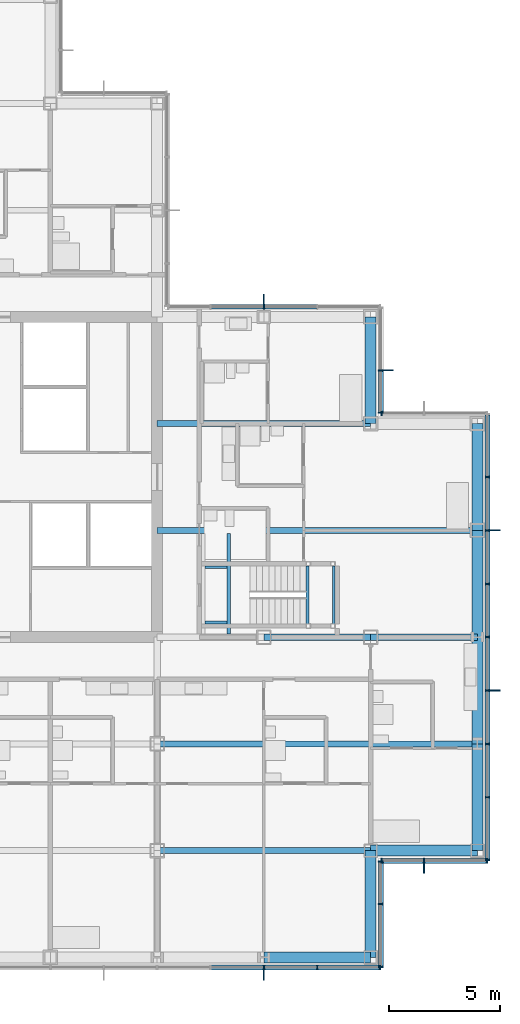
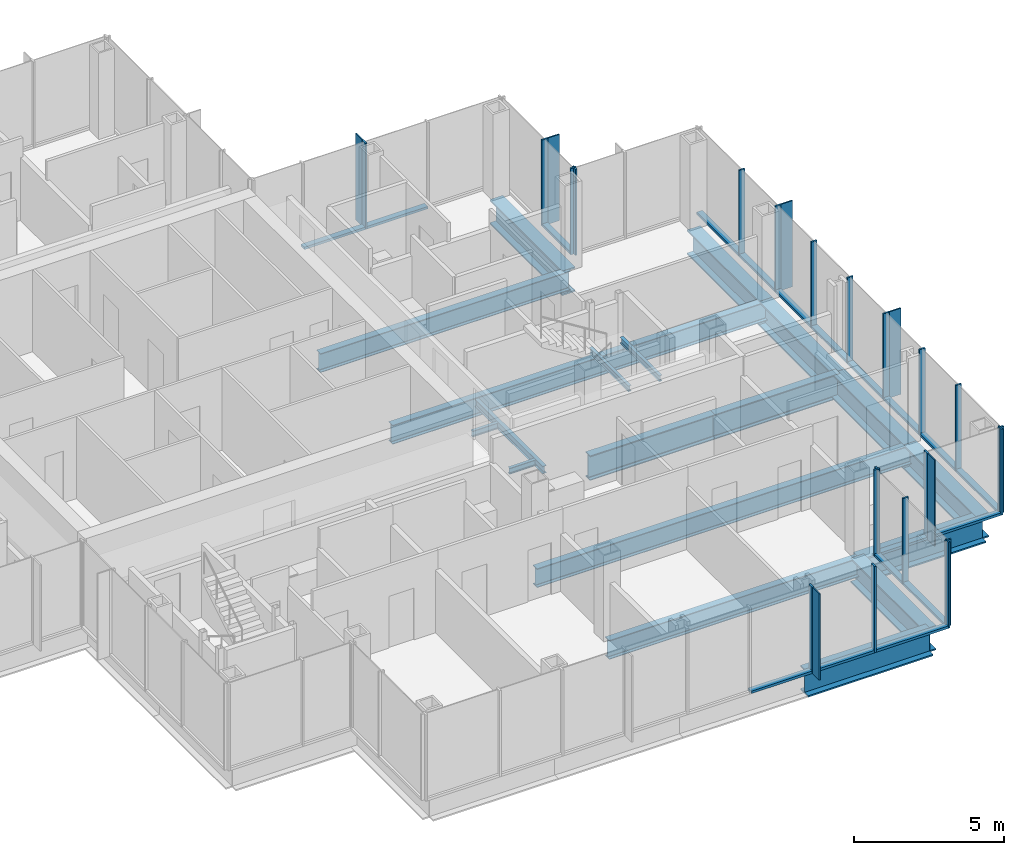
# One storey, part 8 of 20: 45 members, 19 beams, 7 elements without a shape of their own.
"""IFC4 building model written with IfcOpenShell, lengths in metres."""

from ifc_helpers import new_model, si_unit, direction, frame, origin, origin_2d, place, context, subcontext, project, spatial, rectangle, i_section, extrude, material, material_profile, profile_set, type_object, element, aggregate, save


model = new_model("IFC4")

# Units and contexts
model_context = context("Model", 3, precision=1e-05, world=origin(), true_north=direction((0.0, 1.0)))
body_context = subcontext(model_context, "Body", "Model", "MODEL_VIEW")
ifc_project = project(units=[si_unit("LENGTHUNIT", "METRE"), si_unit("AREAUNIT", "SQUARE_METRE"), si_unit("VOLUMEUNIT", "CUBIC_METRE"), si_unit("PLANEANGLEUNIT", "RADIAN"), si_unit("MASSUNIT", "GRAM", prefix="KILO")], contexts=[model_context])

# Site, building, storey
site_placement = place(None, origin())
site = spatial("IfcSite", under=ifc_project, at=site_placement, CompositionType="ELEMENT")
building_placement = place(site_placement, origin())
building = spatial("IfcBuilding", under=site, at=building_placement, Name="Kvirike Care Tower", CompositionType="ELEMENT")
storey_placement = place(building_placement, frame((0.0, 0.0, 94.5)))
storey = spatial("IfcBuildingStorey", under=building, at=storey_placement, Name="L25", CompositionType="ELEMENT", Elevation=94.5)

# Curtain wall, members
ifc_material_1 = material(Name="Anodised aluminium stick system", Category="aluminium")
curtain_wall_type = type_object("IfcCurtainWallType", Name="CW-B STICK CURTAIN WALL", PredefinedType="NOTDEFINED", material=ifc_material_1)
curtain_wall_1_placement = place(storey_placement, origin())
curtain_wall_1 = element("IfcCurtainWall", 1, at=curtain_wall_1_placement, inside=storey, type_object=curtain_wall_type, Name="Curtain wall L25 face 1", PredefinedType="NOTDEFINED")
ifc_material_2 = material(Name="Bronze anodised aluminium fin", Category="aluminium")
ifc_material_profile_1 = material_profile(ifc_material_2, rectangle(XDim=0.050048828125, YDim=0.449951171875, at=origin_2d()), Name="BRONZE FIN 450")
ifc_profile_set_1 = profile_set([ifc_material_profile_1], Name="Bronze anodised aluminium fin")
member_type_1 = type_object("IfcMemberType", Name="BRONZE FIN 450", PredefinedType="USERDEFINED", material=ifc_profile_set_1)
member_1_placement = place(storey_placement, frame((43.9951171875, 26.39990234375, 0.0), z_axis=(0.0, 0.0, 1.0), x_axis=(0.0, 1.0, 0.0)))
member_1 = element("IfcMember", 2, at=member_1_placement, type_object=member_type_1, Name="Bronze fin L25 face 1.4", ObjectType="FIN", PredefinedType="USERDEFINED", context=body_context, shape_type="SweptSolid", body=[
    extrude(rectangle(XDim=0.050048828125, YDim=0.449951171875, at=origin_2d()), origin(), (0.0, 0.0, 1.0), 3.5),
])
member_2_placement = place(storey_placement, frame((43.9951171875, 33.60009765625, 0.0), z_axis=(0.0, 0.0, 1.0), x_axis=(0.0, 1.0, 0.0)))
member_2 = element("IfcMember", 3, at=member_2_placement, type_object=member_type_1, Name="Bronze fin L25 face 1.7", ObjectType="FIN", PredefinedType="USERDEFINED", context=body_context, shape_type="SweptSolid", body=[
    extrude(rectangle(XDim=0.050048828125, YDim=0.449951171875, at=origin_2d()), origin(), (0.0, 0.0, 1.0), 3.5),
])

# Curtain wall, member
curtain_wall_2_placement = place(storey_placement, origin())
curtain_wall_2 = element("IfcCurtainWall", 4, at=curtain_wall_2_placement, inside=storey, type_object=curtain_wall_type, Name="Curtain wall L25 face 3", PredefinedType="NOTDEFINED")
member_3_placement = place(storey_placement, frame((39.195068359375, 40.800048828125, 0.0), z_axis=(0.0, 0.0, 1.0), x_axis=(0.0, 1.0, 0.0)))
member_3 = element("IfcMember", 5, at=member_3_placement, type_object=member_type_1, Name="Bronze fin L25 face 3.2", ObjectType="FIN", PredefinedType="USERDEFINED", context=body_context, shape_type="SweptSolid", body=[
    extrude(rectangle(XDim=0.050048828125, YDim=0.449951171875, at=origin_2d()), origin(), (0.0, 0.0, 1.0), 3.5),
])

curtain_wall_3_placement = place(storey_placement, origin())
curtain_wall_3 = element("IfcCurtainWall", 6, at=curtain_wall_3_placement, inside=storey, type_object=curtain_wall_type, Name="Curtain wall L25 face 4", PredefinedType="NOTDEFINED")
member_4_placement = place(storey_placement, frame((33.60009765625, 43.9951171875, 0.0), z_axis=(0.0, 0.0, 1.0), x_axis=(-1.0, 0.0, 0.0)))
member_4 = element("IfcMember", 7, at=member_4_placement, type_object=member_type_1, Name="Bronze fin L25 face 4.3", ObjectType="FIN", PredefinedType="USERDEFINED", context=body_context, shape_type="SweptSolid", body=[
    extrude(rectangle(XDim=0.050048828125, YDim=0.449951171875, at=origin_2d()), origin(), (0.0, 0.0, 1.0), 3.5),
])

curtain_wall_4_placement = place(storey_placement, origin())
curtain_wall_4 = element("IfcCurtainWall", 8, at=curtain_wall_4_placement, inside=storey, type_object=curtain_wall_type, Name="Curtain wall L25 face 18", PredefinedType="NOTDEFINED")
member_5_placement = place(storey_placement, frame((33.60009765625, 13.60498046875, 0.0), z_axis=(0.0, 0.0, 1.0), x_axis=(1.0, 0.0, 0.0)))
member_5 = element("IfcMember", 9, at=member_5_placement, type_object=member_type_1, Name="Bronze fin L25 face 18.7", ObjectType="FIN", PredefinedType="USERDEFINED", context=body_context, shape_type="SweptSolid", body=[
    extrude(rectangle(XDim=0.050048828125, YDim=0.449951171875, at=origin_2d()), origin(), (0.0, 0.0, 1.0), 3.5),
])

curtain_wall_5_placement = place(storey_placement, origin())
curtain_wall_5 = element("IfcCurtainWall", 10, at=curtain_wall_5_placement, inside=storey, type_object=curtain_wall_type, Name="Curtain wall L25 face 20", PredefinedType="NOTDEFINED")
member_6_placement = place(storey_placement, frame((40.800048828125, 18.405029296875, 0.0), z_axis=(0.0, 0.0, 1.0), x_axis=(1.0, 0.0, 0.0)))
member_6 = element("IfcMember", 11, at=member_6_placement, type_object=member_type_1, Name="Bronze fin L25 face 20.2", ObjectType="FIN", PredefinedType="USERDEFINED", context=body_context, shape_type="SweptSolid", body=[
    extrude(rectangle(XDim=0.050048828125, YDim=0.449951171875, at=origin_2d()), origin(), (0.0, 0.0, 1.0), 3.5),
])

# Member
ifc_material_3 = material(Name="Bronze anodised aluminium mullion", Category="aluminium")
ifc_material_profile_2 = material_profile(ifc_material_3, rectangle(XDim=0.06494140625, YDim=0.219970703125, at=origin_2d()), Name="CW-B MULLION 65x220")
ifc_profile_set_2 = profile_set([ifc_material_profile_2], Name="Bronze anodised aluminium mullion")
member_type_2 = type_object("IfcMemberType", Name="CW-B MULLION 65x220", PredefinedType="MULLION", material=ifc_profile_set_2)
member_7_placement = place(storey_placement, frame((43.659912109375, 18.7724609375, 0.0), z_axis=(0.0, 0.0, 1.0), x_axis=(0.0, 1.0, 0.0)))
member_7 = element("IfcMember", 12, at=member_7_placement, type_object=member_type_2, Name="CW-B mullion L25 face 1.1", PredefinedType="MULLION", context=body_context, shape_type="SweptSolid", body=[
    extrude(rectangle(XDim=0.06494140625, YDim=0.219970703125, at=origin_2d()), origin(), (0.0, 0.0, 1.0), 3.5),
])

member_8_placement = place(storey_placement, frame((43.659912109375, 21.60009765625, 0.0), z_axis=(0.0, 0.0, 1.0), x_axis=(0.0, 1.0, 0.0)))
member_8 = element("IfcMember", 13, at=member_8_placement, type_object=member_type_2, Name="CW-B mullion L25 face 1.2", PredefinedType="MULLION", context=body_context, shape_type="SweptSolid", body=[
    extrude(rectangle(XDim=0.06494140625, YDim=0.219970703125, at=origin_2d()), origin(), (0.0, 0.0, 1.0), 3.5),
])

member_9_placement = place(storey_placement, frame((43.659912109375, 24.0, 0.0), z_axis=(0.0, 0.0, 1.0), x_axis=(0.0, 1.0, 0.0)))
member_9 = element("IfcMember", 14, at=member_9_placement, type_object=member_type_2, Name="CW-B mullion L25 face 1.3", PredefinedType="MULLION", context=body_context, shape_type="SweptSolid", body=[
    extrude(rectangle(XDim=0.06494140625, YDim=0.219970703125, at=origin_2d()), origin(), (0.0, 0.0, 1.0), 3.5),
])

member_10_placement = place(storey_placement, frame((43.659912109375, 26.39990234375, 0.0), z_axis=(0.0, 0.0, 1.0), x_axis=(0.0, 1.0, 0.0)))
member_10 = element("IfcMember", 15, at=member_10_placement, type_object=member_type_2, Name="CW-B mullion L25 face 1.4", PredefinedType="MULLION", context=body_context, shape_type="SweptSolid", body=[
    extrude(rectangle(XDim=0.06494140625, YDim=0.219970703125, at=origin_2d()), origin(), (0.0, 0.0, 1.0), 3.5),
])

member_11_placement = place(storey_placement, frame((43.659912109375, 28.800048828125, 0.0), z_axis=(0.0, 0.0, 1.0), x_axis=(0.0, 1.0, 0.0)))
member_11 = element("IfcMember", 16, at=member_11_placement, type_object=member_type_2, Name="CW-B mullion L25 face 1.5", PredefinedType="MULLION", context=body_context, shape_type="SweptSolid", body=[
    extrude(rectangle(XDim=0.06494140625, YDim=0.219970703125, at=origin_2d()), origin(), (0.0, 0.0, 1.0), 3.5),
])

member_12_placement = place(storey_placement, frame((43.659912109375, 31.199951171875, 0.0), z_axis=(0.0, 0.0, 1.0), x_axis=(0.0, 1.0, 0.0)))
member_12 = element("IfcMember", 17, at=member_12_placement, type_object=member_type_2, Name="CW-B mullion L25 face 1.6", PredefinedType="MULLION", context=body_context, shape_type="SweptSolid", body=[
    extrude(rectangle(XDim=0.06494140625, YDim=0.219970703125, at=origin_2d()), origin(), (0.0, 0.0, 1.0), 3.5),
])

member_13_placement = place(storey_placement, frame((43.659912109375, 33.60009765625, 0.0), z_axis=(0.0, 0.0, 1.0), x_axis=(0.0, 1.0, 0.0)))
member_13 = element("IfcMember", 18, at=member_13_placement, type_object=member_type_2, Name="CW-B mullion L25 face 1.7", PredefinedType="MULLION", context=body_context, shape_type="SweptSolid", body=[
    extrude(rectangle(XDim=0.06494140625, YDim=0.219970703125, at=origin_2d()), origin(), (0.0, 0.0, 1.0), 3.5),
])

member_14_placement = place(storey_placement, frame((43.659912109375, 36.0, 0.0), z_axis=(0.0, 0.0, 1.0), x_axis=(0.0, 1.0, 0.0)))
member_14 = element("IfcMember", 19, at=member_14_placement, type_object=member_type_2, Name="CW-B mullion L25 face 1.8", PredefinedType="MULLION", context=body_context, shape_type="SweptSolid", body=[
    extrude(rectangle(XDim=0.06494140625, YDim=0.219970703125, at=origin_2d()), origin(), (0.0, 0.0, 1.0), 3.5),
])

# Curtain wall, member
curtain_wall_6_placement = place(storey_placement, origin())
curtain_wall_6 = element("IfcCurtainWall", 20, at=curtain_wall_6_placement, inside=storey, type_object=curtain_wall_type, Name="Curtain wall L25 face 2", PredefinedType="NOTDEFINED")
member_15_placement = place(storey_placement, frame((38.892578125, 38.860107421875, 0.0), z_axis=(0.0, 0.0, 1.0), x_axis=(-1.0, 0.0, 0.0)))
member_15 = element("IfcMember", 21, at=member_15_placement, type_object=member_type_2, Name="CW-B mullion L25 face 2.3", PredefinedType="MULLION", context=body_context, shape_type="SweptSolid", body=[
    extrude(rectangle(XDim=0.06494140625, YDim=0.219970703125, at=origin_2d()), origin(), (0.0, 0.0, 1.0), 3.5),
])
aggregate(curtain_wall_6, [member_15])

# Member
member_16_placement = place(storey_placement, frame((38.860107421875, 38.892578125, 0.0), z_axis=(0.0, 0.0, 1.0), x_axis=(0.0, 1.0, 0.0)))
member_16 = element("IfcMember", 22, at=member_16_placement, type_object=member_type_2, Name="CW-B mullion L25 face 3.1", PredefinedType="MULLION", context=body_context, shape_type="SweptSolid", body=[
    extrude(rectangle(XDim=0.06494140625, YDim=0.219970703125, at=origin_2d()), origin(), (0.0, 0.0, 1.0), 3.5),
])

member_17_placement = place(storey_placement, frame((38.860107421875, 40.800048828125, 0.0), z_axis=(0.0, 0.0, 1.0), x_axis=(0.0, 1.0, 0.0)))
member_17 = element("IfcMember", 23, at=member_17_placement, type_object=member_type_2, Name="CW-B mullion L25 face 3.2", PredefinedType="MULLION", context=body_context, shape_type="SweptSolid", body=[
    extrude(rectangle(XDim=0.06494140625, YDim=0.219970703125, at=origin_2d()), origin(), (0.0, 0.0, 1.0), 3.5),
])

member_18_placement = place(storey_placement, frame((33.60009765625, 43.659912109375, 0.0), z_axis=(0.0, 0.0, 1.0), x_axis=(-1.0, 0.0, 0.0)))
member_18 = element("IfcMember", 24, at=member_18_placement, type_object=member_type_2, Name="CW-B mullion L25 face 4.3", PredefinedType="MULLION", context=body_context, shape_type="SweptSolid", body=[
    extrude(rectangle(XDim=0.06494140625, YDim=0.219970703125, at=origin_2d()), origin(), (0.0, 0.0, 1.0), 3.5),
])

member_19_placement = place(storey_placement, frame((33.60009765625, 13.93994140625, 0.0), z_axis=(0.0, 0.0, 1.0), x_axis=(1.0, 0.0, 0.0)))
member_19 = element("IfcMember", 25, at=member_19_placement, type_object=member_type_2, Name="CW-B mullion L25 face 18.7", PredefinedType="MULLION", context=body_context, shape_type="SweptSolid", body=[
    extrude(rectangle(XDim=0.06494140625, YDim=0.219970703125, at=origin_2d()), origin(), (0.0, 0.0, 1.0), 3.5),
])

member_20_placement = place(storey_placement, frame((36.0, 13.93994140625, 0.0), z_axis=(0.0, 0.0, 1.0), x_axis=(1.0, 0.0, 0.0)))
member_20 = element("IfcMember", 26, at=member_20_placement, type_object=member_type_2, Name="CW-B mullion L25 face 18.8", PredefinedType="MULLION", context=body_context, shape_type="SweptSolid", body=[
    extrude(rectangle(XDim=0.06494140625, YDim=0.219970703125, at=origin_2d()), origin(), (0.0, 0.0, 1.0), 3.5),
])

member_21_placement = place(storey_placement, frame((38.827392578125, 13.93994140625, 0.0), z_axis=(0.0, 0.0, 1.0), x_axis=(1.0, 0.0, 0.0)))
member_21 = element("IfcMember", 27, at=member_21_placement, type_object=member_type_2, Name="CW-B mullion L25 face 18.9", PredefinedType="MULLION", context=body_context, shape_type="SweptSolid", body=[
    extrude(rectangle(XDim=0.06494140625, YDim=0.219970703125, at=origin_2d()), origin(), (0.0, 0.0, 1.0), 3.5),
])

# Curtain wall, members
curtain_wall_7_placement = place(storey_placement, origin())
curtain_wall_7 = element("IfcCurtainWall", 28, at=curtain_wall_7_placement, inside=storey, type_object=curtain_wall_type, Name="Curtain wall L25 face 19", PredefinedType="NOTDEFINED")
member_22_placement = place(storey_placement, frame((38.860107421875, 13.972412109375, 0.0), z_axis=(0.0, 0.0, 1.0), x_axis=(0.0, 1.0, 0.0)))
member_22 = element("IfcMember", 29, at=member_22_placement, type_object=member_type_2, Name="CW-B mullion L25 face 19.1", PredefinedType="MULLION", context=body_context, shape_type="SweptSolid", body=[
    extrude(rectangle(XDim=0.06494140625, YDim=0.219970703125, at=origin_2d()), origin(), (0.0, 0.0, 1.0), 3.5),
])
member_23_placement = place(storey_placement, frame((38.860107421875, 16.800048828125, 0.0), z_axis=(0.0, 0.0, 1.0), x_axis=(0.0, 1.0, 0.0)))
member_23 = element("IfcMember", 30, at=member_23_placement, type_object=member_type_2, Name="CW-B mullion L25 face 19.2", PredefinedType="MULLION", context=body_context, shape_type="SweptSolid", body=[
    extrude(rectangle(XDim=0.06494140625, YDim=0.219970703125, at=origin_2d()), origin(), (0.0, 0.0, 1.0), 3.5),
])
member_24_placement = place(storey_placement, frame((38.860107421875, 18.70751953125, 0.0), z_axis=(0.0, 0.0, 1.0), x_axis=(0.0, 1.0, 0.0)))
member_24 = element("IfcMember", 31, at=member_24_placement, type_object=member_type_2, Name="CW-B mullion L25 face 19.3", PredefinedType="MULLION", context=body_context, shape_type="SweptSolid", body=[
    extrude(rectangle(XDim=0.06494140625, YDim=0.219970703125, at=origin_2d()), origin(), (0.0, 0.0, 1.0), 3.5),
])

# Member
member_25_placement = place(storey_placement, frame((38.892578125, 18.739990234375, 0.0), z_axis=(0.0, 0.0, 1.0), x_axis=(1.0, 0.0, 0.0)))
member_25 = element("IfcMember", 32, at=member_25_placement, type_object=member_type_2, Name="CW-B mullion L25 face 20.1", PredefinedType="MULLION", context=body_context, shape_type="SweptSolid", body=[
    extrude(rectangle(XDim=0.06494140625, YDim=0.219970703125, at=origin_2d()), origin(), (0.0, 0.0, 1.0), 3.5),
])

member_26_placement = place(storey_placement, frame((40.800048828125, 18.739990234375, 0.0), z_axis=(0.0, 0.0, 1.0), x_axis=(1.0, 0.0, 0.0)))
member_26 = element("IfcMember", 33, at=member_26_placement, type_object=member_type_2, Name="CW-B mullion L25 face 20.2", PredefinedType="MULLION", context=body_context, shape_type="SweptSolid", body=[
    extrude(rectangle(XDim=0.06494140625, YDim=0.219970703125, at=origin_2d()), origin(), (0.0, 0.0, 1.0), 3.5),
])

member_27_placement = place(storey_placement, frame((43.62744140625, 18.739990234375, 0.0), z_axis=(0.0, 0.0, 1.0), x_axis=(1.0, 0.0, 0.0)))
member_27 = element("IfcMember", 34, at=member_27_placement, type_object=member_type_2, Name="CW-B mullion L25 face 20.3", PredefinedType="MULLION", context=body_context, shape_type="SweptSolid", body=[
    extrude(rectangle(XDim=0.06494140625, YDim=0.219970703125, at=origin_2d()), origin(), (0.0, 0.0, 1.0), 3.5),
])

ifc_material_4 = material(Name="Bronze anodised aluminium transom", Category="aluminium")
ifc_material_profile_3 = material_profile(ifc_material_4, rectangle(XDim=0.219970703125, YDim=0.10009765625, at=origin_2d()), Name="CW-B TRANSOM 220x100")
ifc_profile_set_3 = profile_set([ifc_material_profile_3], Name="Bronze anodised aluminium transom")
member_type_3 = type_object("IfcMemberType", Name="CW-B TRANSOM 220x100", PredefinedType="USERDEFINED", material=ifc_profile_set_3)
member_28_placement = place(storey_placement, frame((43.659912109375, 18.804931640625, 0.050048828125), z_axis=(0.0, 1.0, 0.0), x_axis=(-1.0, 0.0, 0.0)))
member_28 = element("IfcMember", 35, at=member_28_placement, type_object=member_type_3, Name="CW-B sill transom L25 face 1.1", ObjectType="TRANSOM", PredefinedType="USERDEFINED", context=body_context, shape_type="SweptSolid", body=[
    extrude(rectangle(XDim=0.219970703125, YDim=0.10009765625, at=origin_2d()), origin(), (0.0, 0.0, 1.0), 2.762451171875),
])

member_29_placement = place(storey_placement, frame((43.659912109375, 21.632568359375, 0.050048828125), z_axis=(0.0, 1.0, 0.0), x_axis=(-1.0, 0.0, 0.0)))
member_29 = element("IfcMember", 36, at=member_29_placement, type_object=member_type_3, Name="CW-B sill transom L25 face 1.2", ObjectType="TRANSOM", PredefinedType="USERDEFINED", context=body_context, shape_type="SweptSolid", body=[
    extrude(rectangle(XDim=0.219970703125, YDim=0.10009765625, at=origin_2d()), origin(), (0.0, 0.0, 1.0), 2.3349609375),
])

member_30_placement = place(storey_placement, frame((43.659912109375, 24.032470703125, 0.050048828125), z_axis=(0.0, 1.0, 0.0), x_axis=(-1.0, 0.0, 0.0)))
member_30 = element("IfcMember", 37, at=member_30_placement, type_object=member_type_3, Name="CW-B sill transom L25 face 1.3", ObjectType="TRANSOM", PredefinedType="USERDEFINED", context=body_context, shape_type="SweptSolid", body=[
    extrude(rectangle(XDim=0.219970703125, YDim=0.10009765625, at=origin_2d()), origin(), (0.0, 0.0, 1.0), 2.3349609375),
])

member_31_placement = place(storey_placement, frame((43.659912109375, 26.4326171875, 0.050048828125), z_axis=(0.0, 1.0, 0.0), x_axis=(-1.0, 0.0, 0.0)))
member_31 = element("IfcMember", 38, at=member_31_placement, type_object=member_type_3, Name="CW-B sill transom L25 face 1.4", ObjectType="TRANSOM", PredefinedType="USERDEFINED", context=body_context, shape_type="SweptSolid", body=[
    extrude(rectangle(XDim=0.219970703125, YDim=0.10009765625, at=origin_2d()), origin(), (0.0, 0.0, 1.0), 2.3349609375),
])

member_32_placement = place(storey_placement, frame((43.659912109375, 28.83251953125, 0.050048828125), z_axis=(0.0, 1.0, 0.0), x_axis=(-1.0, 0.0, 0.0)))
member_32 = element("IfcMember", 39, at=member_32_placement, type_object=member_type_3, Name="CW-B sill transom L25 face 1.5", ObjectType="TRANSOM", PredefinedType="USERDEFINED", context=body_context, shape_type="SweptSolid", body=[
    extrude(rectangle(XDim=0.219970703125, YDim=0.10009765625, at=origin_2d()), origin(), (0.0, 0.0, 1.0), 2.3349609375),
])

member_33_placement = place(storey_placement, frame((43.659912109375, 31.232421875, 0.050048828125), z_axis=(0.0, 1.0, 0.0), x_axis=(-1.0, 0.0, 0.0)))
member_33 = element("IfcMember", 40, at=member_33_placement, type_object=member_type_3, Name="CW-B sill transom L25 face 1.6", ObjectType="TRANSOM", PredefinedType="USERDEFINED", context=body_context, shape_type="SweptSolid", body=[
    extrude(rectangle(XDim=0.219970703125, YDim=0.10009765625, at=origin_2d()), origin(), (0.0, 0.0, 1.0), 2.3349609375),
])

member_34_placement = place(storey_placement, frame((43.659912109375, 33.632568359375, 0.050048828125), z_axis=(0.0, 1.0, 0.0), x_axis=(-1.0, 0.0, 0.0)))
member_34 = element("IfcMember", 41, at=member_34_placement, type_object=member_type_3, Name="CW-B sill transom L25 face 1.7", ObjectType="TRANSOM", PredefinedType="USERDEFINED", context=body_context, shape_type="SweptSolid", body=[
    extrude(rectangle(XDim=0.219970703125, YDim=0.10009765625, at=origin_2d()), origin(), (0.0, 0.0, 1.0), 2.3349609375),
])

member_35_placement = place(storey_placement, frame((43.659912109375, 36.032470703125, 0.050048828125), z_axis=(0.0, 1.0, 0.0), x_axis=(-1.0, 0.0, 0.0)))
member_35 = element("IfcMember", 42, at=member_35_placement, type_object=member_type_3, Name="CW-B sill transom L25 face 1.8", ObjectType="TRANSOM", PredefinedType="USERDEFINED", context=body_context, shape_type="SweptSolid", body=[
    extrude(rectangle(XDim=0.219970703125, YDim=0.10009765625, at=origin_2d()), origin(), (0.0, 0.0, 1.0), 2.762451171875),
])

aggregate(curtain_wall_1, [member_7, member_8, member_9, member_10, member_1, member_11, member_12, member_13, member_2, member_14, member_28, member_29, member_30, member_31, member_32, member_33, member_34, member_35])

member_36_placement = place(storey_placement, frame((38.860107421875, 38.925048828125, 0.050048828125), z_axis=(0.0, 1.0, 0.0), x_axis=(-1.0, 0.0, 0.0)))
member_36 = element("IfcMember", 43, at=member_36_placement, type_object=member_type_3, Name="CW-B sill transom L25 face 3.1", ObjectType="TRANSOM", PredefinedType="USERDEFINED", context=body_context, shape_type="SweptSolid", body=[
    extrude(rectangle(XDim=0.219970703125, YDim=0.10009765625, at=origin_2d()), origin(), (0.0, 0.0, 1.0), 1.842529296875),
])

aggregate(curtain_wall_2, [member_16, member_17, member_3, member_36])

member_37_placement = place(storey_placement, frame((35.967529296875, 43.659912109375, 0.050048828125), z_axis=(-1.0, 0.0, 0.0), x_axis=(0.0, -1.0, 0.0)))
member_37 = element("IfcMember", 44, at=member_37_placement, type_object=member_type_3, Name="CW-B sill transom L25 face 4.2", ObjectType="TRANSOM", PredefinedType="USERDEFINED", context=body_context, shape_type="SweptSolid", body=[
    extrude(rectangle(XDim=0.219970703125, YDim=0.10009765625, at=origin_2d()), origin(), (0.0, 0.0, 1.0), 2.3349609375),
])

member_38_placement = place(storey_placement, frame((33.5673828125, 43.659912109375, 0.050048828125), z_axis=(-1.0, 0.0, 0.0), x_axis=(0.0, -1.0, 0.0)))
member_38 = element("IfcMember", 45, at=member_38_placement, type_object=member_type_3, Name="CW-B sill transom L25 face 4.3", ObjectType="TRANSOM", PredefinedType="USERDEFINED", context=body_context, shape_type="SweptSolid", body=[
    extrude(rectangle(XDim=0.219970703125, YDim=0.10009765625, at=origin_2d()), origin(), (0.0, 0.0, 1.0), 2.3349609375),
])

aggregate(curtain_wall_3, [member_18, member_4, member_37, member_38])

member_39_placement = place(storey_placement, frame((31.232421875, 13.93994140625, 0.050048828125), z_axis=(1.0, 0.0, 0.0), x_axis=(0.0, 1.0, 0.0)))
member_39 = element("IfcMember", 46, at=member_39_placement, type_object=member_type_3, Name="CW-B sill transom L25 face 18.6", ObjectType="TRANSOM", PredefinedType="USERDEFINED", context=body_context, shape_type="SweptSolid", body=[
    extrude(rectangle(XDim=0.219970703125, YDim=0.10009765625, at=origin_2d()), origin(), (0.0, 0.0, 1.0), 2.3349609375),
])

member_40_placement = place(storey_placement, frame((33.632568359375, 13.93994140625, 0.050048828125), z_axis=(1.0, 0.0, 0.0), x_axis=(0.0, 1.0, 0.0)))
member_40 = element("IfcMember", 47, at=member_40_placement, type_object=member_type_3, Name="CW-B sill transom L25 face 18.7", ObjectType="TRANSOM", PredefinedType="USERDEFINED", context=body_context, shape_type="SweptSolid", body=[
    extrude(rectangle(XDim=0.219970703125, YDim=0.10009765625, at=origin_2d()), origin(), (0.0, 0.0, 1.0), 2.3349609375),
])

member_41_placement = place(storey_placement, frame((36.032470703125, 13.93994140625, 0.050048828125), z_axis=(1.0, 0.0, 0.0), x_axis=(0.0, 1.0, 0.0)))
member_41 = element("IfcMember", 48, at=member_41_placement, type_object=member_type_3, Name="CW-B sill transom L25 face 18.8", ObjectType="TRANSOM", PredefinedType="USERDEFINED", context=body_context, shape_type="SweptSolid", body=[
    extrude(rectangle(XDim=0.219970703125, YDim=0.10009765625, at=origin_2d()), origin(), (0.0, 0.0, 1.0), 2.762451171875),
])

aggregate(curtain_wall_4, [member_19, member_5, member_20, member_21, member_39, member_40, member_41])

member_42_placement = place(storey_placement, frame((38.860107421875, 14.0048828125, 0.050048828125), z_axis=(0.0, 1.0, 0.0), x_axis=(-1.0, 0.0, 0.0)))
member_42 = element("IfcMember", 49, at=member_42_placement, type_object=member_type_3, Name="CW-B sill transom L25 face 19.1", ObjectType="TRANSOM", PredefinedType="USERDEFINED", context=body_context, shape_type="SweptSolid", body=[
    extrude(rectangle(XDim=0.219970703125, YDim=0.10009765625, at=origin_2d()), origin(), (0.0, 0.0, 1.0), 2.7626953125),
])

member_43_placement = place(storey_placement, frame((38.860107421875, 16.83251953125, 0.050048828125), z_axis=(0.0, 1.0, 0.0), x_axis=(-1.0, 0.0, 0.0)))
member_43 = element("IfcMember", 50, at=member_43_placement, type_object=member_type_3, Name="CW-B sill transom L25 face 19.2", ObjectType="TRANSOM", PredefinedType="USERDEFINED", context=body_context, shape_type="SweptSolid", body=[
    extrude(rectangle(XDim=0.219970703125, YDim=0.10009765625, at=origin_2d()), origin(), (0.0, 0.0, 1.0), 1.842529296875),
])

aggregate(curtain_wall_7, [member_22, member_23, member_24, member_42, member_43])

member_44_placement = place(storey_placement, frame((38.925048828125, 18.739990234375, 0.050048828125), z_axis=(1.0, 0.0, 0.0), x_axis=(0.0, 1.0, 0.0)))
member_44 = element("IfcMember", 51, at=member_44_placement, type_object=member_type_3, Name="CW-B sill transom L25 face 20.1", ObjectType="TRANSOM", PredefinedType="USERDEFINED", context=body_context, shape_type="SweptSolid", body=[
    extrude(rectangle(XDim=0.219970703125, YDim=0.10009765625, at=origin_2d()), origin(), (0.0, 0.0, 1.0), 1.842529296875),
])

member_45_placement = place(storey_placement, frame((40.83251953125, 18.739990234375, 0.050048828125), z_axis=(1.0, 0.0, 0.0), x_axis=(0.0, 1.0, 0.0)))
member_45 = element("IfcMember", 52, at=member_45_placement, type_object=member_type_3, Name="CW-B sill transom L25 face 20.2", ObjectType="TRANSOM", PredefinedType="USERDEFINED", context=body_context, shape_type="SweptSolid", body=[
    extrude(rectangle(XDim=0.219970703125, YDim=0.10009765625, at=origin_2d()), origin(), (0.0, 0.0, 1.0), 2.762451171875),
])

aggregate(curtain_wall_5, [member_25, member_26, member_6, member_27, member_44, member_45])

# Beams
ifc_material_5 = material(Name="Steel S355", Category="steel")
ifc_material_profile_4 = material_profile(ifc_material_5, i_section(OverallWidth=0.26806640625, OverallDepth=0.77001953125, WebThickness=0.015625, FlangeThickness=0.025390625, FilletRadius=0.01708984375, at=origin_2d()), Name="IPE 750x196")
ifc_profile_set_4 = profile_set([ifc_material_profile_4], Name="Steel S355")
beam_type_1 = type_object("IfcBeamType", Name="FLOOR BEAM IPE 750x196", PredefinedType="BEAM", material=ifc_profile_set_4)
beam_1_placement = place(storey_placement, frame((28.800048828125, 19.199951171875, -0.554931640625), z_axis=(1.0, 0.0, 0.0), x_axis=(0.0, 1.0, 0.0)))
element("IfcBeam", 53, at=beam_1_placement, inside=storey, type_object=beam_type_1, Name="Floor Beam E9-E11 L25", PredefinedType="BEAM", context=body_context, shape_type="SweptSolid", body=[
    extrude(i_section(OverallWidth=0.26806640625, OverallDepth=0.77001953125, WebThickness=0.015625, FlangeThickness=0.025390625, FilletRadius=0.01708984375, at=origin_2d()), origin(), (0.0, 0.0, 1.0), 9.599853515625),
])
for number, where, z_axis, x_axis, name in (
    (54, (28.800048828125, 24.0, -0.554931640625), (1.0, 0.0, 0.0), (0.0, 1.0, 0.0), "Floor Beam F9-F12 L25"),
    (55, (28.800048828125, 33.60009765625, -0.554931640625), (1.0, 0.0, 0.0), (0.0, 1.0, 0.0), "Floor Beam H9-H12 L25"),
):
    element("IfcBeam", number, at=place(storey_placement, frame(where, z_axis=z_axis, x_axis=x_axis)), inside=storey, type_object=beam_type_1, Name=name, PredefinedType="BEAM", context=body_context, shape_type="SweptSolid", body=[
        extrude(i_section(OverallWidth=0.26806640625, OverallDepth=0.77001953125, WebThickness=0.015625, FlangeThickness=0.025390625, FilletRadius=0.01708984375, at=origin_2d()), origin(), (0.0, 0.0, 1.0), 14.39990234375),
    ])
beam_2_placement = place(storey_placement, frame((28.800048828125, 38.39990234375, -0.554931640625), z_axis=(1.0, 0.0, 0.0), x_axis=(0.0, 1.0, 0.0)))
element("IfcBeam", 56, at=beam_2_placement, inside=storey, type_object=beam_type_1, Name="Floor Beam J9-J11 L25", PredefinedType="BEAM", context=body_context, shape_type="SweptSolid", body=[
    extrude(i_section(OverallWidth=0.26806640625, OverallDepth=0.77001953125, WebThickness=0.015625, FlangeThickness=0.025390625, FilletRadius=0.01708984375, at=origin_2d()), origin(), (0.0, 0.0, 1.0), 9.599853515625),
])
ifc_material_6 = material(Name="Steel S355", Category="steel")
ifc_material_profile_5 = material_profile(ifc_material_6, i_section(OverallWidth=0.300048828125, OverallDepth=1.0, WebThickness=0.01904296875, FlangeThickness=0.035888671875, FilletRadius=0.030029296875, at=origin_2d()), Name="HE 1000 B")
ifc_profile_set_5 = profile_set([ifc_material_profile_5], Name="Steel S355")
beam_type_2 = type_object("IfcBeamType", Name="FRAME BEAM HE 1000 B", PredefinedType="BEAM", material=ifc_profile_set_5)
beam_3_placement = place(storey_placement, frame((33.60009765625, 28.800048828125, -0.669921875), z_axis=(1.0, 0.0, 0.0), x_axis=(0.0, 1.0, 0.0)))
element("IfcBeam", 57, at=beam_3_placement, inside=storey, type_object=beam_type_2, Name="Frame Beam G10-G11 L25", PredefinedType="BEAM", context=body_context, shape_type="SweptSolid", body=[
    extrude(i_section(OverallWidth=0.300048828125, OverallDepth=1.0, WebThickness=0.01904296875, FlangeThickness=0.035888671875, FilletRadius=0.030029296875, at=origin_2d()), origin(), (0.0, 0.0, 1.0), 4.7998046875),
])
beam_4_placement = place(storey_placement, frame((38.39990234375, 28.800048828125, -0.669921875), z_axis=(1.0, 0.0, 0.0), x_axis=(0.0, 1.0, 0.0)))
element("IfcBeam", 58, at=beam_4_placement, inside=storey, type_object=beam_type_2, Name="Frame Beam G11-G12 L25", PredefinedType="BEAM", context=body_context, shape_type="SweptSolid", body=[
    extrude(i_section(OverallWidth=0.300048828125, OverallDepth=1.0, WebThickness=0.01904296875, FlangeThickness=0.035888671875, FilletRadius=0.030029296875, at=origin_2d()), origin(), (0.0, 0.0, 1.0), 4.800048828125),
])
ifc_material_7 = material(Name="Steel S355", Category="steel")
ifc_material_profile_6 = material_profile(ifc_material_7, i_section(OverallWidth=0.5, OverallDepth=1.0, WebThickness=0.030029296875, FlangeThickness=0.06005859375, at=origin_2d()), Name="PG 1000x500x30x60")
ifc_profile_set_6 = profile_set([ifc_material_profile_6], Name="Steel S355")
beam_type_3 = type_object("IfcBeamType", Name="SPANDREL PG 1000x500x30x60", PredefinedType="SPANDREL", material=ifc_profile_set_6)
beam_5_placement = place(storey_placement, frame((33.60009765625, 14.39990234375, -0.669921875), z_axis=(1.0, 0.0, 0.0), x_axis=(0.0, 1.0, 0.0)))
element("IfcBeam", 59, at=beam_5_placement, inside=storey, type_object=beam_type_3, Name="Spandrel D10-D11 L25", PredefinedType="SPANDREL", context=body_context, shape_type="SweptSolid", body=[
    extrude(i_section(OverallWidth=0.5, OverallDepth=1.0, WebThickness=0.030029296875, FlangeThickness=0.06005859375, at=origin_2d()), origin(), (0.0, 0.0, 1.0), 4.7998046875),
])
for number, where, z_axis, x_axis, name in (
    (60, (38.39990234375, 19.199951171875, -0.669921875), (1.0, 0.0, 0.0), (0.0, 1.0, 0.0), "Spandrel E11-E12 L25"),
    (61, (38.39990234375, 14.39990234375, -0.669921875), (0.0, 1.0, 0.0), (-1.0, 0.0, 0.0), "Spandrel D11-E11 L25"),
    (62, (38.39990234375, 38.39990234375, -0.669921875), (0.0, 1.0, 0.0), (-1.0, 0.0, 0.0), "Spandrel J11-K11 L25"),
    (63, (43.199951171875, 19.199951171875, -0.669921875), (0.0, 1.0, 0.0), (-1.0, 0.0, 0.0), "Spandrel E12-F12 L25"),
    (64, (43.199951171875, 24.0, -0.669921875), (0.0, 1.0, 0.0), (-1.0, 0.0, 0.0), "Spandrel F12-G12 L25"),
    (65, (43.199951171875, 28.800048828125, -0.669921875), (0.0, 1.0, 0.0), (-1.0, 0.0, 0.0), "Spandrel G12-H12 L25"),
):
    element("IfcBeam", number, at=place(storey_placement, frame(where, z_axis=z_axis, x_axis=x_axis)), inside=storey, type_object=beam_type_3, Name=name, PredefinedType="SPANDREL", context=body_context, shape_type="SweptSolid", body=[
        extrude(i_section(OverallWidth=0.5, OverallDepth=1.0, WebThickness=0.030029296875, FlangeThickness=0.06005859375, at=origin_2d()), origin(), (0.0, 0.0, 1.0), 4.800048828125),
    ])
beam_6_placement = place(storey_placement, frame((43.199951171875, 33.60009765625, -0.669921875), z_axis=(0.0, 1.0, 0.0), x_axis=(-1.0, 0.0, 0.0)))
element("IfcBeam", 66, at=beam_6_placement, inside=storey, type_object=beam_type_3, Name="Spandrel H12-J12 L25", PredefinedType="SPANDREL", context=body_context, shape_type="SweptSolid", body=[
    extrude(i_section(OverallWidth=0.5, OverallDepth=1.0, WebThickness=0.030029296875, FlangeThickness=0.06005859375, at=origin_2d()), origin(), (0.0, 0.0, 1.0), 4.7998046875),
])
ifc_material_8 = material(Name="Steel S355", Category="steel")
ifc_material_profile_7 = material_profile(ifc_material_8, i_section(OverallWidth=0.1201171875, OverallDepth=0.239990234375, WebThickness=0.006103515625, FlangeThickness=0.009765625, FilletRadius=0.014892578125, at=origin_2d()), Name="IPE 240")
ifc_profile_set_7 = profile_set([ifc_material_profile_7], Name="Steel S355")
beam_type_4 = type_object("IfcBeamType", Name="STAIR LANDING BEAM IPE 240", PredefinedType="BEAM", material=ifc_profile_set_7)
for number, where, z_axis, x_axis, name in (
    (67, (36.739990234375, 29.39990234375, 1.429931640625), (0.0, 1.0, 0.0), (-1.0, 0.0, 0.0), "Stair 2 landing beam back L25"),
    (68, (35.56005859375, 29.39990234375, 1.429931640625), (0.0, 1.0, 0.0), (-1.0, 0.0, 0.0), "Stair 2 landing beam front L25"),
):
    element("IfcBeam", number, at=place(storey_placement, frame(where, z_axis=z_axis, x_axis=x_axis)), inside=storey, type_object=beam_type_4, Name=name, PredefinedType="BEAM", context=body_context, shape_type="SweptSolid", body=[
        extrude(i_section(OverallWidth=0.1201171875, OverallDepth=0.239990234375, WebThickness=0.006103515625, FlangeThickness=0.009765625, FilletRadius=0.014892578125, at=origin_2d()), origin(), (0.0, 0.0, 1.0), 2.60009765625),
    ])
for number, where, z_axis, x_axis, name in (
    (69, (31.949951171875, 29.4599609375, -0.320068359375), (-1.0, 0.0, 0.0), (0.0, -1.0, 0.0), "Stair 2 landing edge beam 1 L25"),
    (70, (31.949951171875, 31.93994140625, -0.320068359375), (-1.0, 0.0, 0.0), (0.0, -1.0, 0.0), "Stair 2 landing edge beam 2 L25"),
):
    element("IfcBeam", number, at=place(storey_placement, frame(where, z_axis=z_axis, x_axis=x_axis)), inside=storey, type_object=beam_type_4, Name=name, PredefinedType="BEAM", context=body_context, shape_type="SweptSolid", body=[
        extrude(i_section(OverallWidth=0.1201171875, OverallDepth=0.239990234375, WebThickness=0.006103515625, FlangeThickness=0.009765625, FilletRadius=0.014892578125, at=origin_2d()), origin(), (0.0, 0.0, 1.0), 1.0),
    ])
ifc_material_9 = material(Name="Steel S355", Category="steel")
ifc_material_profile_8 = material_profile(ifc_material_9, i_section(OverallWidth=0.14990234375, OverallDepth=0.300048828125, WebThickness=0.007080078125, FlangeThickness=0.0107421875, FilletRadius=0.014892578125, at=origin_2d()), Name="IPE 300")
ifc_profile_set_8 = profile_set([ifc_material_profile_8], Name="Steel S355")
beam_type_5 = type_object("IfcBeamType", Name="STAIR TRIMMER IPE 300", PredefinedType="BEAM", material=ifc_profile_set_8)
beam_7_placement = place(storey_placement, frame((32.02490234375, 28.949951171875, -0.35009765625), z_axis=(0.0, 1.0, 0.0), x_axis=(-1.0, 0.0, 0.0)))
element("IfcBeam", 71, at=beam_7_placement, inside=storey, type_object=beam_type_5, Name="Stair 2 trimmer 1 L25", PredefinedType="BEAM", context=body_context, shape_type="SweptSolid", body=[
    extrude(i_section(OverallWidth=0.14990234375, OverallDepth=0.300048828125, WebThickness=0.007080078125, FlangeThickness=0.0107421875, FilletRadius=0.014892578125, at=origin_2d()), origin(), (0.0, 0.0, 1.0), 4.51611328125),
])

save(model, "model.ifc")
